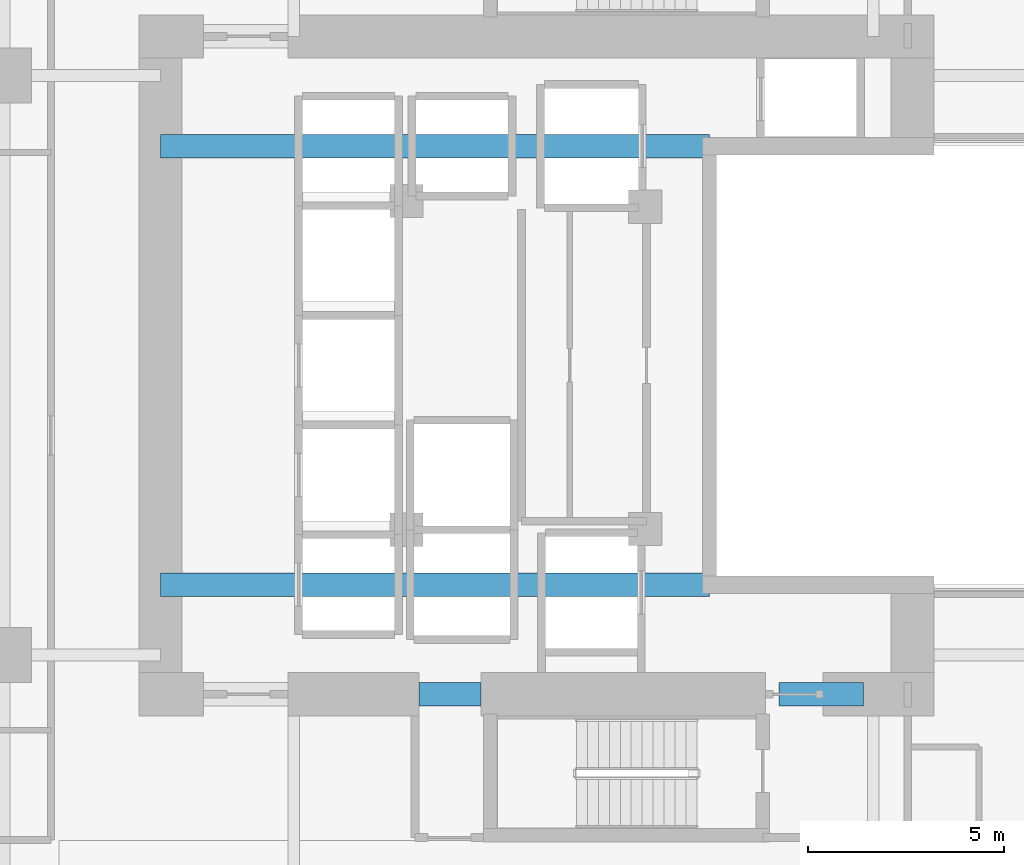
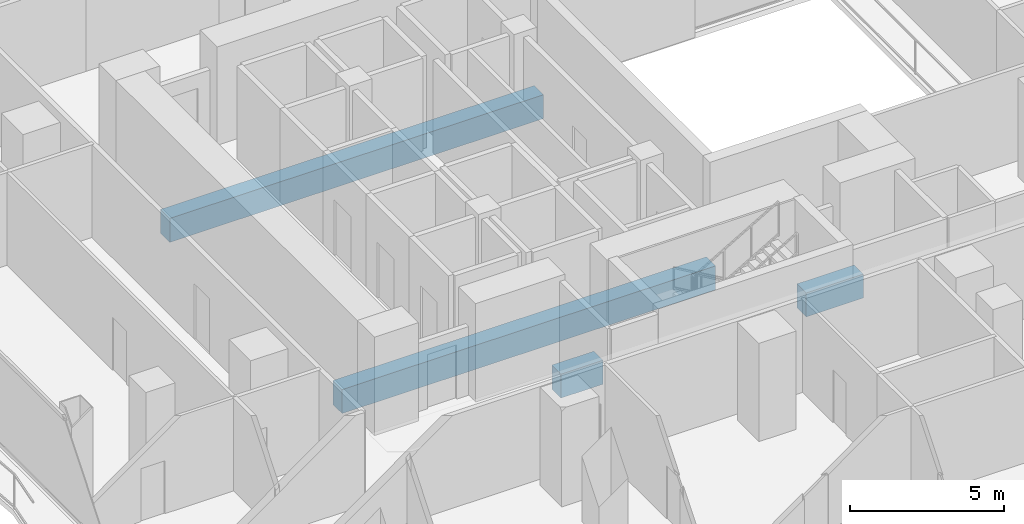
# One storey, part 7 of 27: 4 beams.
"""IFC4 building model written with IfcOpenShell, lengths in metres."""

from ifc_helpers import new_model, si_unit, direction, frame, origin, origin_2d, place, context, subcontext, project, spatial, rectangle, extrude, material, material_profile, profile_set, type_object, element, save


model = new_model("IFC4")

# Units and contexts
model_context = context("Model", 3, precision=1e-05, world=origin(), true_north=direction((0.0, 1.0)))
body_context = subcontext(model_context, "Body", "Model", "MODEL_VIEW")
ifc_project = project(units=[si_unit("LENGTHUNIT", "METRE"), si_unit("AREAUNIT", "SQUARE_METRE"), si_unit("VOLUMEUNIT", "CUBIC_METRE"), si_unit("PLANEANGLEUNIT", "RADIAN"), si_unit("MASSUNIT", "GRAM", prefix="KILO")], contexts=[model_context])

# Site, building, storey
site_placement = place(None, origin())
site = spatial("IfcSite", under=ifc_project, at=site_placement, CompositionType="ELEMENT")
building_placement = place(site_placement, origin())
building = spatial("IfcBuilding", under=site, at=building_placement, Name="Khorvyn Point Tower", CompositionType="ELEMENT")
storey_placement = place(building_placement, frame((0.0, 0.0, 42.300048828125)))
storey = spatial("IfcBuildingStorey", under=building, at=storey_placement, Name="L11", CompositionType="ELEMENT", Elevation=42.300048828125)

# Beams
ifc_material = material(Name="Concrete C50/60", Category="concrete")
ifc_material_profile = material_profile(ifc_material, rectangle(XDim=0.60009765625, YDim=0.949951171875, at=origin_2d()))
ifc_profile_set = profile_set([ifc_material_profile], Name="Concrete C50/60 RC600x950")
beam_type = type_object("IfcBeamType", Name="Concrete C50/60 Beam RC600x950", PredefinedType="BEAM", material=ifc_profile_set)
for number, where, z_axis, x_axis, name in (
    (1, (-10.800048828125, -5.60009765625, -0.695068359375), (1.0, 0.0, 0.0), (0.0, 1.0, 0.0), "L11 Core Internal Tie Girder S"),
    (2, (-10.800048828125, 5.60009765625, -0.695068359375), (1.0, 0.0, 0.0), (0.0, 1.0, 0.0), "L11 Core Internal Tie Girder N"),
):
    element("IfcBeam", number, at=place(storey_placement, frame(where, z_axis=z_axis, x_axis=x_axis)), inside=storey, type_object=beam_type, Name=name, PredefinedType="BEAM", context=body_context, shape_type="SweptSolid", body=[
        extrude(rectangle(XDim=0.60009765625, YDim=0.949951171875, at=origin_2d()), origin(), (0.0, 0.0, 1.0), 14.02001953125),
    ])
beam_1_placement = place(storey_placement, frame((-4.199951171875, -8.39990234375, -0.695068359375), z_axis=(1.0, 0.0, 0.0), x_axis=(0.0, 1.0, 0.0)))
element("IfcBeam", 3, at=beam_1_placement, inside=storey, type_object=beam_type, Name="L11 Core Shuttle Portal Coupling Beam", PredefinedType="BEAM", context=body_context, shape_type="SweptSolid", body=[
    extrude(rectangle(XDim=0.60009765625, YDim=0.949951171875, at=origin_2d()), origin(), (0.0, 0.0, 1.0), 1.579833984375),
])
beam_2_placement = place(storey_placement, frame((5.0, -8.39990234375, -0.695068359375), z_axis=(1.0, 0.0, 0.0), x_axis=(0.0, 1.0, 0.0)))
element("IfcBeam", 4, at=beam_2_placement, inside=storey, type_object=beam_type, Name="L11 Core Southeast Portal Coupling Beam", PredefinedType="BEAM", context=body_context, shape_type="SweptSolid", body=[
    extrude(rectangle(XDim=0.60009765625, YDim=0.949951171875, at=origin_2d()), origin(), (0.0, 0.0, 1.0), 2.14990234375),
])

save(model, "model.ifc")
